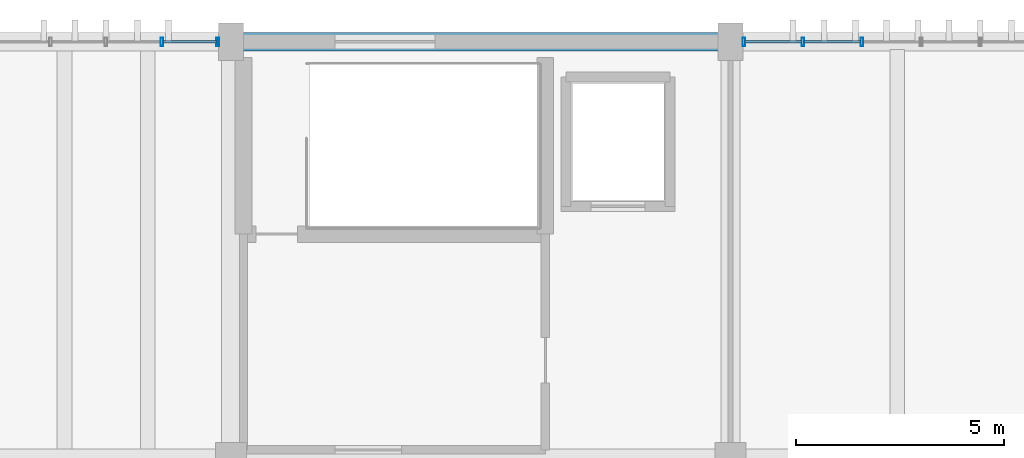
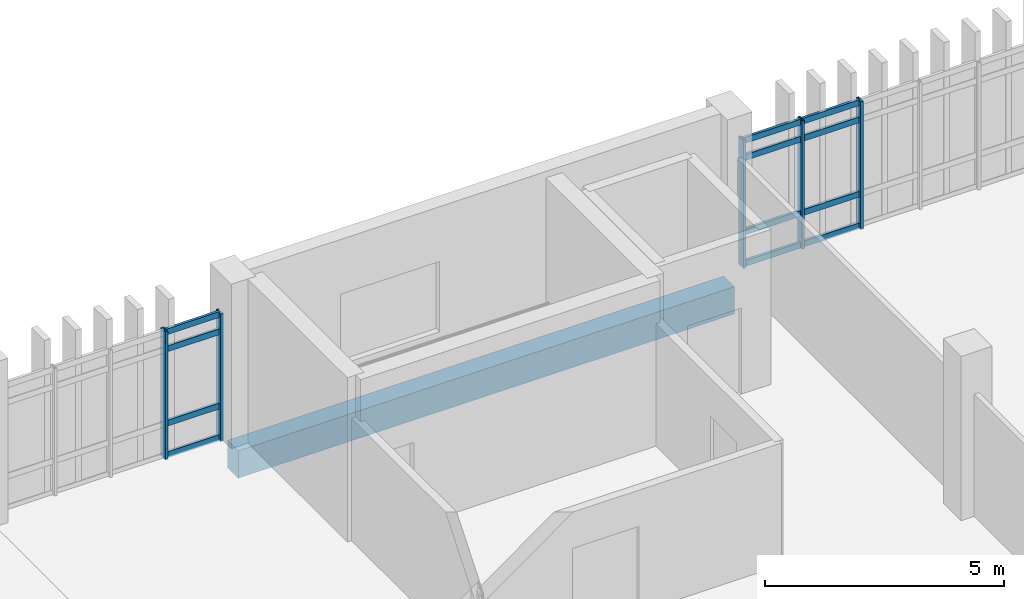
# One storey, part 117 of 161: 17 members, 1 beam, 2 elements without a shape of their own.
"""IFC4 building model written with IfcOpenShell, lengths in metres."""

from ifc_helpers import new_model, si_unit, direction, frame, origin, origin_2d, place, context, subcontext, project, spatial, rectangle, hollow_rectangle, extrude, material, layer, layer_set, material_profile, profile_set, type_object, element, aggregate, save


model = new_model("IFC4")

# Units and contexts
model_context = context("Model", 3, precision=1e-05, world=origin(), true_north=direction((0.0, 1.0)))
body_context = subcontext(model_context, "Body", "Model", "MODEL_VIEW")
ifc_project = project(units=[si_unit("LENGTHUNIT", "METRE"), si_unit("AREAUNIT", "SQUARE_METRE"), si_unit("VOLUMEUNIT", "CUBIC_METRE"), si_unit("PLANEANGLEUNIT", "RADIAN"), si_unit("MASSUNIT", "GRAM", prefix="KILO")], contexts=[model_context])

# Site, building, storey
site_placement = place(None, origin())
site = spatial("IfcSite", under=ifc_project, at=site_placement, CompositionType="ELEMENT")
building_placement = place(site_placement, origin())
building = spatial("IfcBuilding", under=site, at=building_placement, Name="Mersad Railyard Sports Hall", CompositionType="ELEMENT")
storey_placement = place(building_placement, frame((0.0, 0.0, 4.800048828125)))
storey = spatial("IfcBuildingStorey", under=building, at=storey_placement, Name="L01", CompositionType="ELEMENT", Elevation=4.800048828125)

# Curtain wall, members
ifc_material_1 = material(Name="Aluminium 6063-T6", Category="aluminium")
ifc_layer_1 = layer(ifc_material_1, 0.199951171875)
ifc_layer_set_1 = layer_set([ifc_layer_1], Name="Aluminium 6063-T6")
curtain_wall_type_1 = type_object("IfcCurtainWallType", Name="ARC-CW-CW36", PredefinedType="USERDEFINED", material=ifc_layer_set_1)
curtain_wall_1_placement = place(storey_placement, origin())
curtain_wall_1 = element("IfcCurtainWall", 1, at=curtain_wall_1_placement, inside=storey, type_object=curtain_wall_type_1, Name="Curtain wall CW36-0100", ObjectType="CURTAIN WALL", PredefinedType="USERDEFINED")
ifc_material_profile_1 = material_profile(ifc_material_1, hollow_rectangle(XDim=0.06494140625, YDim=0.199951171875, WallThickness=0.0048828125, at=origin_2d()), Name="AL MULLION 65x200x5")
ifc_profile_set_1 = profile_set([ifc_material_profile_1], Name="Aluminium 6063-T6")
member_type_1 = type_object("IfcMemberType", Name="ARC-CW-MUL02", PredefinedType="MULLION", material=ifc_profile_set_1)
member_1_placement = place(storey_placement, frame((135.340087890625, 115.0, -0.02001953125), z_axis=(0.0, 0.0, 1.0), x_axis=(1.0, 0.0, 0.0)))
member_1 = element("IfcMember", 2, at=member_1_placement, type_object=member_type_1, Name="CW36 Mullion 4", PredefinedType="MULLION", context=body_context, shape_type="SweptSolid", body=[
    extrude(hollow_rectangle(XDim=0.06494140625, YDim=0.199951171875, WallThickness=0.0048828125, at=origin_2d()), origin(), (0.0, 0.0, 1.0), 3.27001953125),
])
member_2_placement = place(storey_placement, frame((136.679931640625, 115.0, -0.02001953125), z_axis=(0.0, 0.0, 1.0), x_axis=(1.0, 0.0, 0.0)))
member_2 = element("IfcMember", 3, at=member_2_placement, type_object=member_type_1, Name="CW36 Mullion 5", PredefinedType="MULLION", context=body_context, shape_type="SweptSolid", body=[
    extrude(hollow_rectangle(XDim=0.06494140625, YDim=0.199951171875, WallThickness=0.0048828125, at=origin_2d()), origin(), (0.0, 0.0, 1.0), 3.27001953125),
])

ifc_layer_2 = layer(ifc_material_1, 0.199951171875)
ifc_layer_set_2 = layer_set([ifc_layer_2], Name="Aluminium 6063-T6")
curtain_wall_type_2 = type_object("IfcCurtainWallType", Name="ARC-CW-CW34", PredefinedType="USERDEFINED", material=ifc_layer_set_2)
curtain_wall_2_placement = place(storey_placement, origin())
curtain_wall_2 = element("IfcCurtainWall", 4, at=curtain_wall_2_placement, inside=storey, type_object=curtain_wall_type_2, Name="Curtain wall CW34-0101", ObjectType="CURTAIN WALL", PredefinedType="USERDEFINED")
member_3_placement = place(storey_placement, frame((149.320068359375, 115.0, -0.02001953125), z_axis=(0.0, 0.0, 1.0), x_axis=(1.0, 0.0, 0.0)))
member_3 = element("IfcMember", 5, at=member_3_placement, type_object=member_type_1, Name="CW34 Mullion 1", PredefinedType="MULLION", context=body_context, shape_type="SweptSolid", body=[
    extrude(hollow_rectangle(XDim=0.06494140625, YDim=0.199951171875, WallThickness=0.0048828125, at=origin_2d()), origin(), (0.0, 0.0, 1.0), 3.27001953125),
])
member_4_placement = place(storey_placement, frame((150.739990234375, 115.0, -0.02001953125), z_axis=(0.0, 0.0, 1.0), x_axis=(1.0, 0.0, 0.0)))
member_4 = element("IfcMember", 6, at=member_4_placement, type_object=member_type_1, Name="CW34 Mullion 2", PredefinedType="MULLION", context=body_context, shape_type="SweptSolid", body=[
    extrude(hollow_rectangle(XDim=0.06494140625, YDim=0.199951171875, WallThickness=0.0048828125, at=origin_2d()), origin(), (0.0, 0.0, 1.0), 3.27001953125),
])
member_5_placement = place(storey_placement, frame((152.159912109375, 115.0, -0.02001953125), z_axis=(0.0, 0.0, 1.0), x_axis=(1.0, 0.0, 0.0)))
member_5 = element("IfcMember", 7, at=member_5_placement, type_object=member_type_1, Name="CW34 Mullion 3", PredefinedType="MULLION", context=body_context, shape_type="SweptSolid", body=[
    extrude(hollow_rectangle(XDim=0.06494140625, YDim=0.199951171875, WallThickness=0.0048828125, at=origin_2d()), origin(), (0.0, 0.0, 1.0), 3.27001953125),
])

# Member
ifc_material_profile_2 = material_profile(ifc_material_1, hollow_rectangle(XDim=0.06494140625, YDim=0.14990234375, WallThickness=0.00439453125, at=origin_2d()), Name="AL TRANSOM 65x150x4.5")
ifc_profile_set_2 = profile_set([ifc_material_profile_2], Name="Aluminium 6063-T6")
member_type_2 = type_object("IfcMemberType", Name="ARC-CW-TRN02", PredefinedType="USERDEFINED", material=ifc_profile_set_2)
member_6_placement = place(storey_placement, frame((135.360107421875, 115.0, 0.0400390625), z_axis=(1.0, 0.0, 0.0), x_axis=(0.0, 1.0, 0.0)))
member_6 = element("IfcMember", 8, at=member_6_placement, type_object=member_type_2, Name="CW36 Transom 1-4", ObjectType="TRANSOM", PredefinedType="USERDEFINED", context=body_context, shape_type="SweptSolid", body=[
    extrude(hollow_rectangle(XDim=0.06494140625, YDim=0.14990234375, WallThickness=0.00439453125, at=origin_2d()), origin(), (0.0, 0.0, 1.0), 1.2998046875),
])

member_7_placement = place(storey_placement, frame((135.360107421875, 115.0, 0.849853515625), z_axis=(1.0, 0.0, 0.0), x_axis=(0.0, 1.0, 0.0)))
member_7 = element("IfcMember", 9, at=member_7_placement, type_object=member_type_2, Name="CW36 Transom 2-4", ObjectType="TRANSOM", PredefinedType="USERDEFINED", context=body_context, shape_type="SweptSolid", body=[
    extrude(hollow_rectangle(XDim=0.06494140625, YDim=0.14990234375, WallThickness=0.00439453125, at=origin_2d()), origin(), (0.0, 0.0, 1.0), 1.2998046875),
])

member_8_placement = place(storey_placement, frame((135.360107421875, 115.0, 2.75), z_axis=(1.0, 0.0, 0.0), x_axis=(0.0, 1.0, 0.0)))
member_8 = element("IfcMember", 10, at=member_8_placement, type_object=member_type_2, Name="CW36 Transom 3-4", ObjectType="TRANSOM", PredefinedType="USERDEFINED", context=body_context, shape_type="SweptSolid", body=[
    extrude(hollow_rectangle(XDim=0.06494140625, YDim=0.14990234375, WallThickness=0.00439453125, at=origin_2d()), origin(), (0.0, 0.0, 1.0), 1.2998046875),
])

member_9_placement = place(storey_placement, frame((135.360107421875, 115.0, 3.18994140625), z_axis=(1.0, 0.0, 0.0), x_axis=(0.0, 1.0, 0.0)))
member_9 = element("IfcMember", 11, at=member_9_placement, type_object=member_type_2, Name="CW36 Transom 4-4", ObjectType="TRANSOM", PredefinedType="USERDEFINED", context=body_context, shape_type="SweptSolid", body=[
    extrude(hollow_rectangle(XDim=0.06494140625, YDim=0.14990234375, WallThickness=0.00439453125, at=origin_2d()), origin(), (0.0, 0.0, 1.0), 1.2998046875),
])

aggregate(curtain_wall_1, [member_1, member_2, member_6, member_7, member_8, member_9])

member_10_placement = place(storey_placement, frame((149.340087890625, 115.0, 0.0400390625), z_axis=(1.0, 0.0, 0.0), x_axis=(0.0, 1.0, 0.0)))
member_10 = element("IfcMember", 12, at=member_10_placement, type_object=member_type_2, Name="CW34 Transom 1-1", ObjectType="TRANSOM", PredefinedType="USERDEFINED", context=body_context, shape_type="SweptSolid", body=[
    extrude(hollow_rectangle(XDim=0.06494140625, YDim=0.14990234375, WallThickness=0.00439453125, at=origin_2d()), origin(), (0.0, 0.0, 1.0), 1.3798828125),
])

member_11_placement = place(storey_placement, frame((150.760009765625, 115.0, 0.0400390625), z_axis=(1.0, 0.0, 0.0), x_axis=(0.0, 1.0, 0.0)))
member_11 = element("IfcMember", 13, at=member_11_placement, type_object=member_type_2, Name="CW34 Transom 1-2", ObjectType="TRANSOM", PredefinedType="USERDEFINED", context=body_context, shape_type="SweptSolid", body=[
    extrude(hollow_rectangle(XDim=0.06494140625, YDim=0.14990234375, WallThickness=0.00439453125, at=origin_2d()), origin(), (0.0, 0.0, 1.0), 1.3798828125),
])

member_12_placement = place(storey_placement, frame((149.340087890625, 115.0, 0.849853515625), z_axis=(1.0, 0.0, 0.0), x_axis=(0.0, 1.0, 0.0)))
member_12 = element("IfcMember", 14, at=member_12_placement, type_object=member_type_2, Name="CW34 Transom 2-1", ObjectType="TRANSOM", PredefinedType="USERDEFINED", context=body_context, shape_type="SweptSolid", body=[
    extrude(hollow_rectangle(XDim=0.06494140625, YDim=0.14990234375, WallThickness=0.00439453125, at=origin_2d()), origin(), (0.0, 0.0, 1.0), 1.3798828125),
])

member_13_placement = place(storey_placement, frame((150.760009765625, 115.0, 0.849853515625), z_axis=(1.0, 0.0, 0.0), x_axis=(0.0, 1.0, 0.0)))
member_13 = element("IfcMember", 15, at=member_13_placement, type_object=member_type_2, Name="CW34 Transom 2-2", ObjectType="TRANSOM", PredefinedType="USERDEFINED", context=body_context, shape_type="SweptSolid", body=[
    extrude(hollow_rectangle(XDim=0.06494140625, YDim=0.14990234375, WallThickness=0.00439453125, at=origin_2d()), origin(), (0.0, 0.0, 1.0), 1.3798828125),
])

member_14_placement = place(storey_placement, frame((149.340087890625, 115.0, 2.75), z_axis=(1.0, 0.0, 0.0), x_axis=(0.0, 1.0, 0.0)))
member_14 = element("IfcMember", 16, at=member_14_placement, type_object=member_type_2, Name="CW34 Transom 3-1", ObjectType="TRANSOM", PredefinedType="USERDEFINED", context=body_context, shape_type="SweptSolid", body=[
    extrude(hollow_rectangle(XDim=0.06494140625, YDim=0.14990234375, WallThickness=0.00439453125, at=origin_2d()), origin(), (0.0, 0.0, 1.0), 1.3798828125),
])

member_15_placement = place(storey_placement, frame((150.760009765625, 115.0, 2.75), z_axis=(1.0, 0.0, 0.0), x_axis=(0.0, 1.0, 0.0)))
member_15 = element("IfcMember", 17, at=member_15_placement, type_object=member_type_2, Name="CW34 Transom 3-2", ObjectType="TRANSOM", PredefinedType="USERDEFINED", context=body_context, shape_type="SweptSolid", body=[
    extrude(hollow_rectangle(XDim=0.06494140625, YDim=0.14990234375, WallThickness=0.00439453125, at=origin_2d()), origin(), (0.0, 0.0, 1.0), 1.3798828125),
])

member_16_placement = place(storey_placement, frame((149.340087890625, 115.0, 3.18994140625), z_axis=(1.0, 0.0, 0.0), x_axis=(0.0, 1.0, 0.0)))
member_16 = element("IfcMember", 18, at=member_16_placement, type_object=member_type_2, Name="CW34 Transom 4-1", ObjectType="TRANSOM", PredefinedType="USERDEFINED", context=body_context, shape_type="SweptSolid", body=[
    extrude(hollow_rectangle(XDim=0.06494140625, YDim=0.14990234375, WallThickness=0.00439453125, at=origin_2d()), origin(), (0.0, 0.0, 1.0), 1.3798828125),
])

member_17_placement = place(storey_placement, frame((150.760009765625, 115.0, 3.18994140625), z_axis=(1.0, 0.0, 0.0), x_axis=(0.0, 1.0, 0.0)))
member_17 = element("IfcMember", 19, at=member_17_placement, type_object=member_type_2, Name="CW34 Transom 4-2", ObjectType="TRANSOM", PredefinedType="USERDEFINED", context=body_context, shape_type="SweptSolid", body=[
    extrude(hollow_rectangle(XDim=0.06494140625, YDim=0.14990234375, WallThickness=0.00439453125, at=origin_2d()), origin(), (0.0, 0.0, 1.0), 1.3798828125),
])

aggregate(curtain_wall_2, [member_3, member_4, member_5, member_10, member_11, member_12, member_13, member_14, member_15, member_16, member_17])

# Beam
ifc_material_2 = material(Name="Architectural concrete C40/50", Category="concrete")
ifc_material_profile_3 = material_profile(ifc_material_2, rectangle(XDim=0.449951171875, YDim=0.699951171875, at=origin_2d()), Name="RC 450x700")
ifc_profile_set_3 = profile_set([ifc_material_profile_3], Name="Architectural concrete C40/50")
beam_type = type_object("IfcBeamType", Name="STR-BM-SP01", PredefinedType="SPANDREL", material=ifc_profile_set_3)
beam_placement = place(storey_placement, frame((137.0, 115.0, -0.650146484375), z_axis=(1.0, 0.0, 0.0), x_axis=(0.0, 1.0, 0.0)))
element("IfcBeam", 20, at=beam_placement, inside=storey, type_object=beam_type, Name="Beam SP01-0992", PredefinedType="SPANDREL", context=body_context, shape_type="SweptSolid", body=[
    extrude(rectangle(XDim=0.449951171875, YDim=0.699951171875, at=origin_2d()), origin(), (0.0, 0.0, 1.0), 12.0),
])

save(model, "model.ifc")
